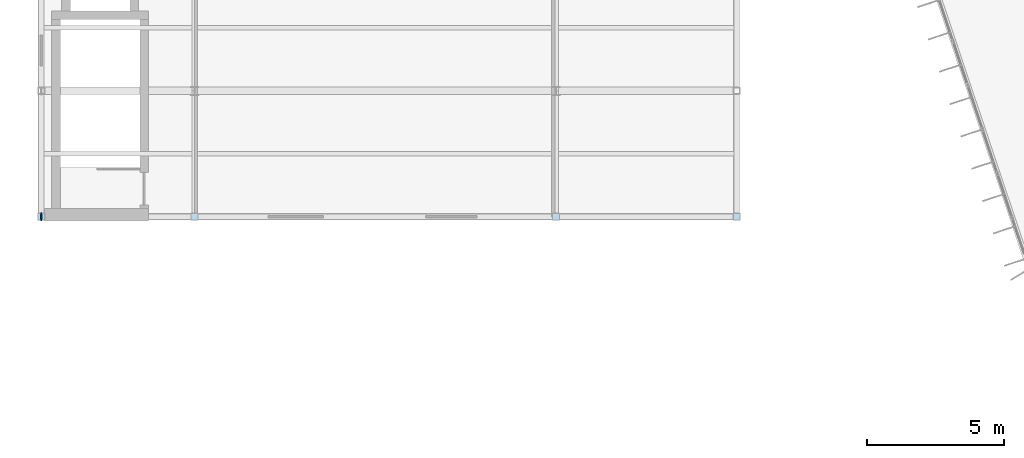
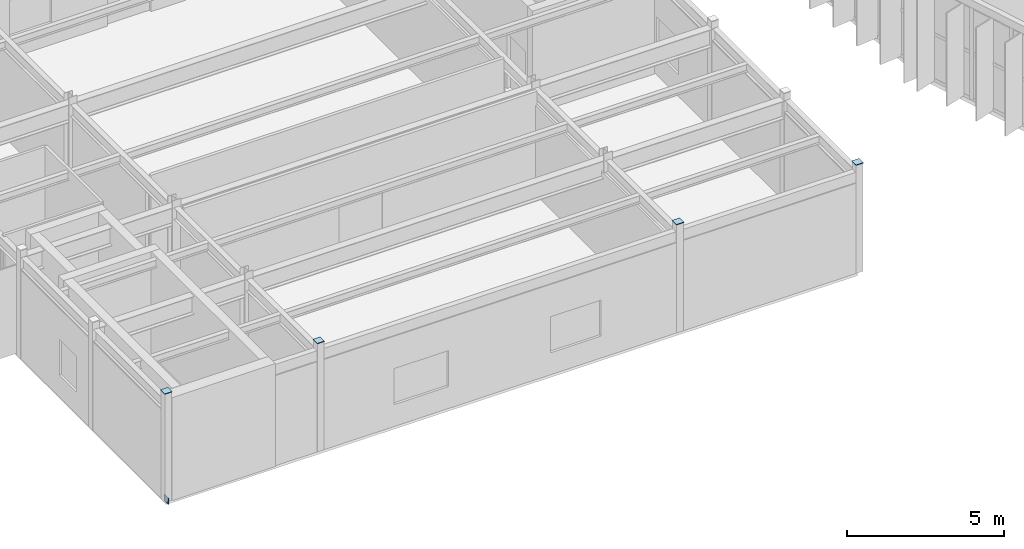
# One storey, part 98 of 130: 5 plates.
"""IFC4 building model written with IfcOpenShell, lengths in metres."""

from ifc_helpers import new_model, si_unit, direction, frame, origin, origin_2d, place, context, subcontext, project, spatial, rectangle, extrude, material, layer, layer_set, type_object, element, save


model = new_model("IFC4")

# Units and contexts
model_context = context("Model", 3, precision=1e-05, world=origin(), true_north=direction((0.0, 1.0)))
body_context = subcontext(model_context, "Body", "Model", "MODEL_VIEW")
ifc_project = project(units=[si_unit("LENGTHUNIT", "METRE"), si_unit("AREAUNIT", "SQUARE_METRE"), si_unit("VOLUMEUNIT", "CUBIC_METRE"), si_unit("PLANEANGLEUNIT", "RADIAN"), si_unit("MASSUNIT", "GRAM", prefix="KILO")], contexts=[model_context])

# Site, building, storey
site_placement = place(None, origin())
site = spatial("IfcSite", under=ifc_project, at=site_placement, CompositionType="ELEMENT")
building_placement = place(site_placement, origin())
building = spatial("IfcBuilding", under=site, at=building_placement, Name="Karori Crest Natural Sciences Institute", CompositionType="ELEMENT")
storey_placement = place(building_placement, frame((0.0, 0.0, 17.5)))
storey = spatial("IfcBuildingStorey", under=building, at=storey_placement, Name="L04", CompositionType="ELEMENT", Elevation=17.5)

# Plates
ifc_material = material(Name="Structural steel AS/NZS 3679.1 Grade 350", Category="steel")
ifc_layer = layer(ifc_material, 0.02490234375, Name="Structural steel AS/NZS 3679.1 Grade 350")
ifc_layer_set = layer_set([ifc_layer], Name="Structural steel AS/NZS 3679.1 Grade 350")
plate_type = type_object("IfcPlateType", Name="PLT-06-EL", PredefinedType="SHEET", material=ifc_layer_set)
for number, where, z_axis, x_axis, name in (
    (1, (1.800048828125, 31.199951171875, 4.199951171875), (0.0, 0.0, 1.0), (1.0, 0.0, 0.0), "Hollow section end cap EP-0225"),
    (2, (7.39990234375, 31.199951171875, 4.199951171875), (0.0, 0.0, 1.0), (1.0, 0.0, 0.0), "Hollow section end cap EP-0230"),
    (3, (20.60009765625, 31.199951171875, 4.199951171875), (0.0, 0.0, 1.0), (1.0, 0.0, 0.0), "Hollow section end cap EP-0231"),
    (4, (27.199951171875, 31.199951171875, 4.199951171875), (0.0, 0.0, 1.0), (1.0, 0.0, 0.0), "Hollow section end cap EP-0232"),
):
    element("IfcPlate", number, at=place(storey_placement, frame(where, z_axis=z_axis, x_axis=x_axis)), inside=storey, type_object=plate_type, Name=name, PredefinedType="SHEET", context=body_context, shape_type="SweptSolid", body=[
        extrude(rectangle(XDim=0.27001953125, YDim=0.27001953125, at=origin_2d()), origin(), (0.0, 0.0, 1.0), 0.02490234375),
    ])
plate_placement = place(storey_placement, frame((1.800048828125, 31.199951171875, -0.10986328125), z_axis=(0.0, 0.0, 1.0), x_axis=(0.0, 1.0, 0.0)))
element("IfcPlate", 5, at=plate_placement, inside=storey, type_object=plate_type, Name="Brace gusset plate EP-0257", PredefinedType="SHEET", context=body_context, shape_type="SweptSolid", body=[
    extrude(rectangle(XDim=0.280029296875, YDim=0.02490234375, at=origin_2d()), origin(), (0.0, 0.0, 1.0), 0.239990234375),
])

save(model, "model.ifc")
